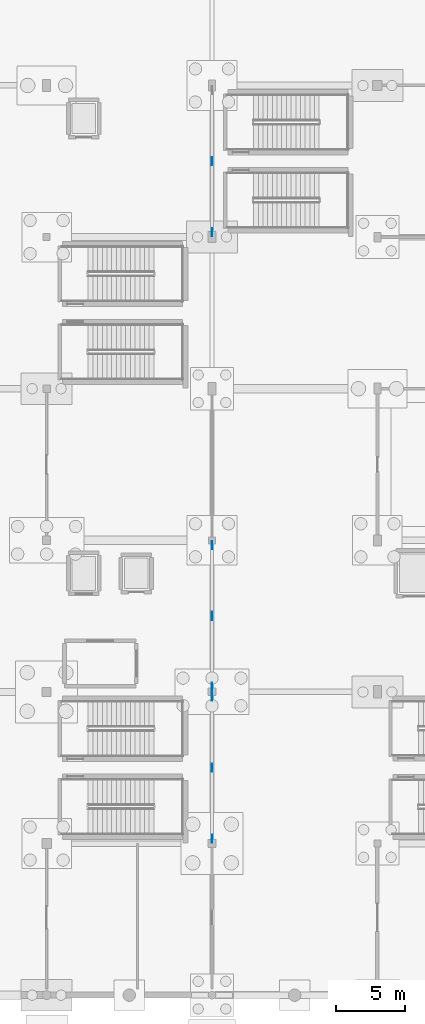
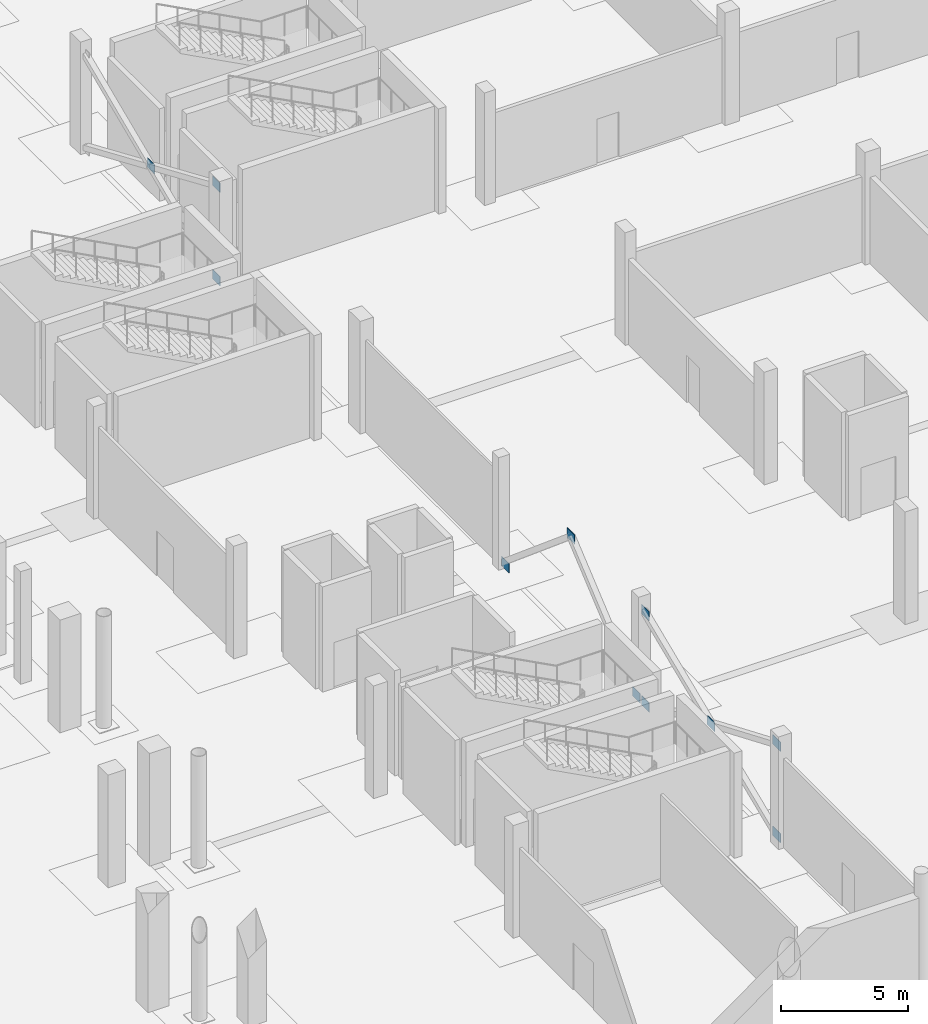
# One storey, part 27 of 60: 11 plates.
"""IFC4 building model written with IfcOpenShell, lengths in metres."""

from ifc_helpers import new_model, si_unit, direction, frame, origin, origin_2d, place, context, subcontext, project, spatial, rectangle, extrude, material, layer, layer_set, type_object, element, save


model = new_model("IFC4")

# Units and contexts
model_context = context("Model", 3, precision=1e-05, world=origin(), true_north=direction((0.0, 1.0)))
body_context = subcontext(model_context, "Body", "Model", "MODEL_VIEW")
ifc_project = project(units=[si_unit("LENGTHUNIT", "METRE"), si_unit("AREAUNIT", "SQUARE_METRE"), si_unit("VOLUMEUNIT", "CUBIC_METRE"), si_unit("PLANEANGLEUNIT", "RADIAN"), si_unit("MASSUNIT", "GRAM", prefix="KILO")], contexts=[model_context])

# Site, building, storey
site_placement = place(None, origin())
site = spatial("IfcSite", under=ifc_project, at=site_placement, CompositionType="ELEMENT")
building_placement = place(site_placement, origin())
building = spatial("IfcBuilding", under=site, at=building_placement, Name="Luwafu Chhajja Arena", CompositionType="ELEMENT")
storey_placement = place(building_placement, frame((0.0, 0.0, -5.39990234375)))
storey = spatial("IfcBuildingStorey", under=building, at=storey_placement, Name="B1", CompositionType="ELEMENT", Elevation=-5.39990234375)

# Plates
ifc_material = material(Name="Steel S355", Category="steel")
ifc_layer = layer(ifc_material, 0.02197265625, Name="Steel S355")
ifc_layer_set = layer_set([ifc_layer], Name="Steel S355")
plate_type = type_object("IfcPlateType", Name="Lateral Brace Gusset Plate BN-1", PredefinedType="USERDEFINED", material=ifc_layer_set)
for number, where, z_axis, x_axis, name in (
    (1, (164.0, 27.5, 4.51904296875), (0.0, 0.0, 1.0), (1.0, 0.0, 0.0), "B1 Chevron Apex Gusset Plate BN-1 06"),
    (2, (164.0, 22.35009765625, 0.02490234375), (0.0, 0.0, 1.0), (1.0, 0.0, 0.0), "B1 Brace Base Gusset BN-1 06A"),
    (3, (164.0, 32.64990234375, 0.02490234375), (0.0, 0.0, 1.0), (1.0, 0.0, 0.0), "B1 Brace Base Gusset BN-1 06B"),
    (4, (164.0, 60.5, 2.259765625), (0.0, 0.0, 1.0), (1.0, 0.0, 0.0), "B1 X-Brace Crossing Gusset Plate BN-1 02"),
    (5, (164.0, 55.35009765625, 0.01513671875), (0.0, 0.0, 1.0), (1.0, 0.0, 0.0), "B1 X-Brace Corner Gusset BN-1 02BL"),
    (6, (164.0, 55.35009765625, 4.5048828125), (0.0, 0.0, 1.0), (1.0, 0.0, 0.0), "B1 X-Brace Corner Gusset BN-1 02TL"),
    (7, (164.0, 16.5, 2.20458984375), (0.0, 0.0, 1.0), (1.0, 0.0, 0.0), "B1 X-Brace Crossing Gusset Plate BN-1 04"),
    (8, (164.0, 11.35009765625, 0.01513671875), (0.0, 0.0, 1.0), (1.0, 0.0, 0.0), "B1 X-Brace Corner Gusset BN-1 04BL"),
    (9, (164.0, 21.64990234375, 0.01513671875), (0.0, 0.0, 1.0), (1.0, 0.0, 0.0), "B1 X-Brace Corner Gusset BN-1 04BR"),
    (10, (164.0, 11.35009765625, 4.39501953125), (0.0, 0.0, 1.0), (1.0, 0.0, 0.0), "B1 X-Brace Corner Gusset BN-1 04TL"),
    (11, (164.0, 21.64990234375, 4.39501953125), (0.0, 0.0, 1.0), (1.0, 0.0, 0.0), "B1 X-Brace Corner Gusset BN-1 04TR"),
):
    element("IfcPlate", number, at=place(storey_placement, frame(where, z_axis=z_axis, x_axis=x_axis)), inside=storey, type_object=plate_type, Name=name, ObjectType="GUSSET PLATE", PredefinedType="USERDEFINED", context=body_context, shape_type="SweptSolid", body=[
        extrude(rectangle(XDim=0.02197265625, YDim=0.60009765625, at=origin_2d()), origin(), (0.0, 0.0, 1.0), 0.449951171875),
    ])

save(model, "model.ifc")
